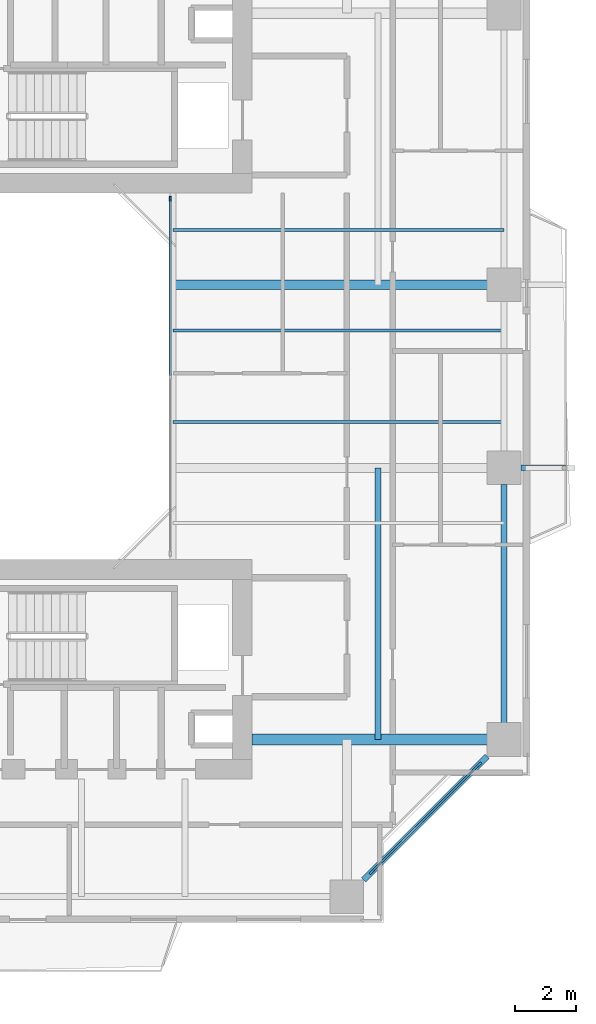
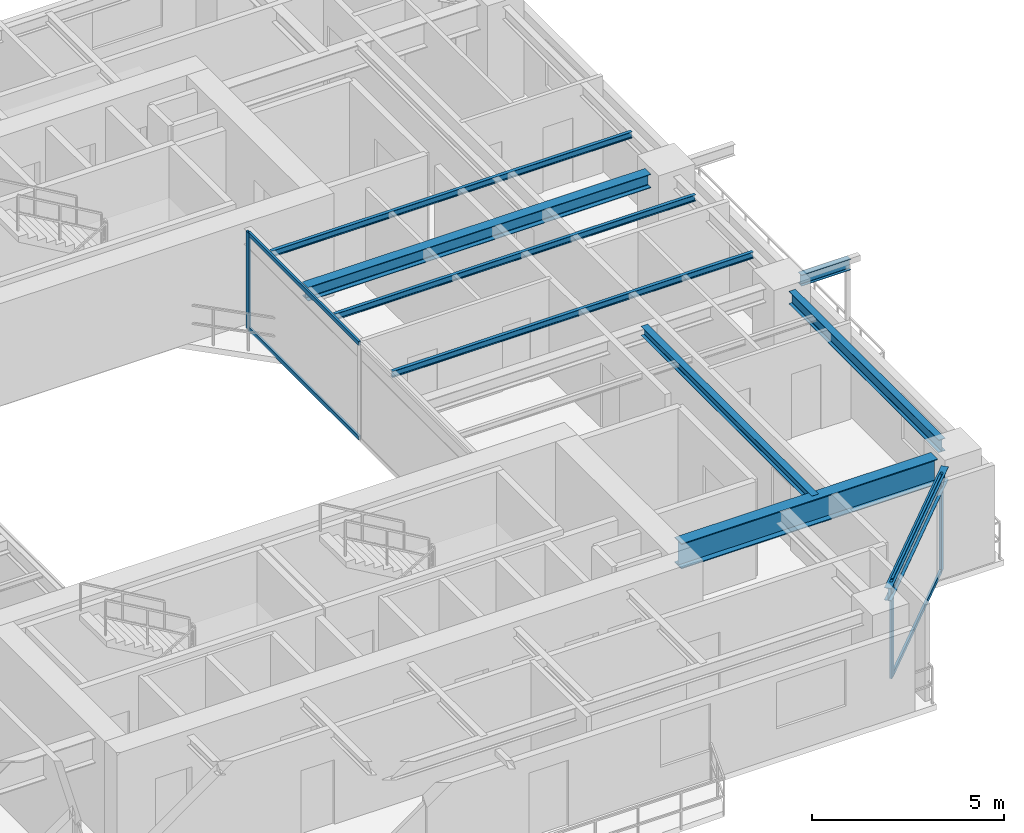
# One storey, part 6 of 17: 9 beams, 7 members, 2 elements without a shape of their own.
"""IFC4 building model written with IfcOpenShell, lengths in metres."""

from ifc_helpers import new_model, si_unit, direction, frame, origin, origin_2d, place, context, subcontext, project, spatial, rectangle, i_section, extrude, source, transform, mapped, material, layer, layer_set, material_profile, profile_set, type_object, element, aggregate, save


model = new_model("IFC4")

# Units and contexts
model_context = context("Model", 3, precision=1e-05, world=origin(), true_north=direction((0.0, 1.0)))
body_context = subcontext(model_context, "Body", "Model", "MODEL_VIEW")
ifc_project = project(units=[si_unit("LENGTHUNIT", "METRE"), si_unit("AREAUNIT", "SQUARE_METRE"), si_unit("VOLUMEUNIT", "CUBIC_METRE"), si_unit("PLANEANGLEUNIT", "RADIAN"), si_unit("MASSUNIT", "GRAM", prefix="KILO"), si_unit("THERMODYNAMICTEMPERATUREUNIT", "KELVIN"), si_unit("POWERUNIT", "WATT")], contexts=[model_context])

# Site, building, storey
site_placement = place(None, origin())
site = spatial("IfcSite", under=ifc_project, at=site_placement, CompositionType="ELEMENT")
building_placement = place(site_placement, origin())
building = spatial("IfcBuilding", under=site, at=building_placement, Name="Qiaomeng Ring Towers", CompositionType="ELEMENT")
storey_placement = place(building_placement, frame((0.0, 0.0, 132.75)))
storey = spatial("IfcBuildingStorey", under=building, at=storey_placement, Name="L38", CompositionType="ELEMENT", Elevation=132.75)

# Beams
ifc_material_1 = material(Name="Steel Q355B", Category="steel")
ifc_material_profile_1 = material_profile(ifc_material_1, i_section(OverallWidth=0.175048828125, OverallDepth=0.35009765625, WebThickness=0.007080078125, FlangeThickness=0.010986328125, FilletRadius=0.013916015625, at=origin_2d()), Name="HN 350x175x7x11")
ifc_profile_set_1 = profile_set([ifc_material_profile_1], Name="Steel Q355B")
beam_type_1 = type_object("IfcBeamType", Name="STR-BM-HN350", PredefinedType="JOIST", material=ifc_profile_set_1)
shared_shape_1 = source(origin(), body_context, "Body", "SweptSolid", [
    extrude(i_section(OverallWidth=0.175048828125, OverallDepth=0.35009765625, WebThickness=0.007080078125, FlangeThickness=0.010986328125, FilletRadius=0.013916015625, at=origin_2d()), origin(), (0.0, 0.0, 1.0), 1.48095703125),
])
beam_1_placement = place(storey_placement, frame((36.59912109375, 20.0, 2.89501953125), z_axis=(1.0, 0.0, 0.0), x_axis=(0.0, 1.0, 0.0)))
element("IfcBeam", 1, at=beam_1_placement, inside=storey, type_object=beam_type_1, Name="L38 beam STR-BALBM-L38-E2", PredefinedType="JOIST", context=body_context, shape_type="MappedRepresentation", body=[
    mapped(shared_shape_1, transform((0.0, 0.0, 0.0), x_axis=(1.0, 0.0, 0.0), y_axis=(0.0, 1.0, 0.0), z_axis=(0.0, 0.0, 1.0), scale=1.0)),
])
ifc_material_profile_2 = material_profile(ifc_material_1, i_section(OverallWidth=0.199951171875, OverallDepth=0.39990234375, WebThickness=0.008056640625, FlangeThickness=0.012939453125, FilletRadius=0.01611328125, at=origin_2d()), Name="HN 400x200x8x13")
ifc_profile_set_2 = profile_set([ifc_material_profile_2], Name="Steel Q355B")
beam_type_2 = type_object("IfcBeamType", Name="STR-BM-HN400", PredefinedType="SPANDREL", material=ifc_profile_set_2)
shared_shape_2 = source(origin(), body_context, "Body", "SweptSolid", [
    extrude(i_section(OverallWidth=0.199951171875, OverallDepth=0.39990234375, WebThickness=0.008056640625, FlangeThickness=0.012939453125, FilletRadius=0.01611328125, at=origin_2d()), origin(), (0.0, 0.0, 1.0), 5.729736328125),
])
beam_2_placement = place(storey_placement, frame((31.44921875, 6.499267578125, 2.8701171875), z_axis=(0.707106781187, 0.707106781187, 0.0), x_axis=(-0.707106781187, 0.707106781187, 0.0)))
element("IfcBeam", 2, at=beam_2_placement, inside=storey, type_object=beam_type_2, Name="L38 beam STR-SP-L38-T1-S2-E1", PredefinedType="SPANDREL", context=body_context, shape_type="MappedRepresentation", body=[
    mapped(shared_shape_2, transform((0.0, 0.0, 0.0), x_axis=(1.0, 0.0, 0.0), y_axis=(0.0, 1.0, 0.0), z_axis=(0.0, 0.0, 1.0), scale=1.0)),
])
shared_shape_3 = source(origin(), body_context, "Body", "SweptSolid", [
    extrude(i_section(OverallWidth=0.199951171875, OverallDepth=0.39990234375, WebThickness=0.008056640625, FlangeThickness=0.012939453125, FilletRadius=0.01611328125, at=origin_2d()), origin(), (0.0, 0.0, 1.0), 7.802001953125),
])
beam_3_placement = place(storey_placement, frame((36.050048828125, 11.64892578125, 2.8701171875), z_axis=(0.0, 1.0, 0.0), x_axis=(-1.0, 0.0, 0.0)))
element("IfcBeam", 3, at=beam_3_placement, inside=storey, type_object=beam_type_2, Name="L38 beam STR-SP-L38-T1-E1-E2", PredefinedType="SPANDREL", context=body_context, shape_type="MappedRepresentation", body=[
    mapped(shared_shape_3, transform((0.0, 0.0, 0.0), x_axis=(1.0, 0.0, 0.0), y_axis=(0.0, 1.0, 0.0), z_axis=(0.0, 0.0, 1.0), scale=1.0)),
])
ifc_material_2 = material(Name="Steel Q390GJC", Category="steel")
ifc_material_profile_3 = material_profile(ifc_material_2, i_section(OverallWidth=0.35009765625, OverallDepth=0.800048828125, WebThickness=0.01611328125, FlangeThickness=0.028076171875, at=origin_2d()), Name="WH 800x350x16x28")
ifc_profile_set_3 = profile_set([ifc_material_profile_3], Name="Steel Q390GJC")
beam_type_3 = type_object("IfcBeamType", Name="STR-BM-WH800", PredefinedType="BEAM", material=ifc_profile_set_3)
shared_shape_4 = source(origin(), body_context, "Body", "SweptSolid", [
    extrude(i_section(OverallWidth=0.35009765625, OverallDepth=0.800048828125, WebThickness=0.01611328125, FlangeThickness=0.028076171875, at=origin_2d()), origin(), (0.0, 0.0, 1.0), 7.700927734375),
])
beam_4_placement = place(storey_placement, frame((27.800048828125, 11.10009765625, 2.669921875), z_axis=(1.0, 0.0, 0.0), x_axis=(0.0, 1.0, 0.0)))
element("IfcBeam", 4, at=beam_4_placement, inside=storey, type_object=beam_type_3, Name="L38 beam STR-BM-L38-T1-RAD-E1", PredefinedType="BEAM", context=body_context, shape_type="MappedRepresentation", body=[
    mapped(shared_shape_4, transform((0.0, 0.0, 0.0), x_axis=(1.0, 0.0, 0.0), y_axis=(0.0, 1.0, 0.0), z_axis=(0.0, 0.0, 1.0), scale=1.0)),
])
ifc_material_profile_4 = material_profile(ifc_material_1, i_section(OverallWidth=0.300048828125, OverallDepth=0.43994140625, WebThickness=0.010986328125, FlangeThickness=0.01806640625, FilletRadius=0.02392578125, at=origin_2d()), Name="HM 440x300x11x18")
ifc_profile_set_4 = profile_set([ifc_material_profile_4], Name="Steel Q355B")
beam_type_4 = type_object("IfcBeamType", Name="STR-BM-HM440", PredefinedType="BEAM", material=ifc_profile_set_4)
shared_shape_5 = source(origin(), body_context, "Body", "SweptSolid", [
    extrude(i_section(OverallWidth=0.300048828125, OverallDepth=0.43994140625, WebThickness=0.010986328125, FlangeThickness=0.01806640625, FilletRadius=0.02392578125, at=origin_2d()), origin(), (0.0, 0.0, 1.0), 10.301025390625),
])
beam_5_placement = place(storey_placement, frame((25.199951171875, 26.0, 2.85009765625), z_axis=(1.0, 0.0, 0.0), x_axis=(0.0, 1.0, 0.0)))
element("IfcBeam", 5, at=beam_5_placement, inside=storey, type_object=beam_type_4, Name="L38 beam STR-BM-L38-T1-RAD-E3", PredefinedType="BEAM", context=body_context, shape_type="MappedRepresentation", body=[
    mapped(shared_shape_5, transform((0.0, 0.0, 0.0), x_axis=(1.0, 0.0, 0.0), y_axis=(0.0, 1.0, 0.0), z_axis=(0.0, 0.0, 1.0), scale=1.0)),
])
ifc_material_profile_5 = material_profile(ifc_material_1, i_section(OverallWidth=0.10009765625, OverallDepth=0.199951171875, WebThickness=0.005615234375, FlangeThickness=0.008056640625, FilletRadius=0.010986328125, at=origin_2d()), Name="HN 200x100x5.5x8")
ifc_profile_set_5 = profile_set([ifc_material_profile_5], Name="Steel Q355B")
beam_type_5 = type_object("IfcBeamType", Name="STR-BM-HN200", PredefinedType="JOIST", material=ifc_profile_set_5)
shared_shape_6 = source(origin(), body_context, "Body", "SweptSolid", [
    extrude(i_section(OverallWidth=0.10009765625, OverallDepth=0.199951171875, WebThickness=0.005615234375, FlangeThickness=0.008056640625, FilletRadius=0.010986328125, at=origin_2d()), origin(), (0.0, 0.0, 1.0), 10.85009765625),
])
for number, where, z_axis, x_axis, name in (
    (6, (25.199951171875, 21.5, 2.969970703125), (1.0, 0.0, 0.0), (0.0, 1.0, 0.0), "L38 beam STR-JST-L38-T1E-2"),
    (7, (25.199951171875, 24.5, 2.969970703125), (1.0, 0.0, 0.0), (0.0, 1.0, 0.0), "L38 beam STR-JST-L38-T1E-3"),
    (8, (25.199951171875, 27.800048828125, 2.969970703125), (1.0, 0.0, 0.0), (0.0, 1.0, 0.0), "L38 beam STR-JST-L38-T1E-4"),
):
    element("IfcBeam", number, at=place(storey_placement, frame(where, z_axis=z_axis, x_axis=x_axis)), inside=storey, type_object=beam_type_5, Name=name, PredefinedType="JOIST", context=body_context, shape_type="MappedRepresentation", body=[
        mapped(shared_shape_6, transform((0.0, 0.0, 0.0), x_axis=(1.0, 0.0, 0.0), y_axis=(0.0, 1.0, 0.0), z_axis=(0.0, 0.0, 1.0), scale=1.0)),
    ])
ifc_material_profile_6 = material_profile(ifc_material_1, i_section(OverallWidth=0.199951171875, OverallDepth=0.2939453125, WebThickness=0.008056640625, FlangeThickness=0.011962890625, FilletRadius=0.01806640625, at=origin_2d()), Name="HM 294x200x8x12")
ifc_profile_set_6 = profile_set([ifc_material_profile_6], Name="Steel Q355B")
beam_type_6 = type_object("IfcBeamType", Name="STR-BM-HM294", PredefinedType="JOIST", material=ifc_profile_set_6)
shared_shape_7 = source(origin(), body_context, "Body", "SweptSolid", [
    extrude(i_section(OverallWidth=0.199951171875, OverallDepth=0.2939453125, WebThickness=0.008056640625, FlangeThickness=0.011962890625, FilletRadius=0.01806640625, at=origin_2d()), origin(), (0.0, 0.0, 1.0), 8.89990234375),
])
beam_6_placement = place(storey_placement, frame((31.925048828125, 11.10009765625, 2.923095703125), z_axis=(0.0, 1.0, 0.0), x_axis=(-1.0, 0.0, 0.0)))
element("IfcBeam", 9, at=beam_6_placement, inside=storey, type_object=beam_type_6, Name="L38 beam STR-JST-L38-T1C-ES", PredefinedType="JOIST", context=body_context, shape_type="MappedRepresentation", body=[
    mapped(shared_shape_7, transform((0.0, 0.0, 0.0), x_axis=(1.0, 0.0, 0.0), y_axis=(0.0, 1.0, 0.0), z_axis=(0.0, 0.0, 1.0), scale=1.0)),
])

# Curtain wall, members
ifc_material_3 = material(Name="Fluorocarbon dark-grey aluminium", Category="aluminium")
ifc_layer_1 = layer(ifc_material_3, 0.139892578125, Name="Fluorocarbon dark-grey aluminium")
ifc_layer_set_1 = layer_set([ifc_layer_1], Name="Fluorocarbon dark-grey aluminium")
curtain_wall_type_1 = type_object("IfcCurtainWallType", Name="ARC-CW-4", PredefinedType="NOTDEFINED", material=ifc_layer_set_1)
curtain_wall_1_placement = place(storey_placement, origin())
curtain_wall_1 = element("IfcCurtainWall", 10, at=curtain_wall_1_placement, inside=storey, type_object=curtain_wall_type_1, Name="L38 Curtain Wall CW4", PredefinedType="NOTDEFINED")
ifc_material_profile_7 = material_profile(ifc_material_3, rectangle(XDim=0.06494140625, YDim=0.159912109375, at=origin_2d()), Name="ALU MULL 65x160")
ifc_profile_set_7 = profile_set([ifc_material_profile_7], Name="Fluorocarbon dark-grey aluminium")
member_type_1 = type_object("IfcMemberType", Name="ARC-CWM-140", PredefinedType="MULLION", material=ifc_profile_set_7)
shared_shape_8 = source(origin(), body_context, "Body", "SweptSolid", [
    extrude(rectangle(XDim=0.06494140625, YDim=0.159912109375, at=origin_2d()), origin(), (0.0, 0.0, 1.0), 3.070068359375),
])
member_1_placement = place(storey_placement, frame((25.1201171875, 28.8173828125, 0.0), z_axis=(0.0, 0.0, 1.0), x_axis=(-1.0, 0.0, 0.0)))
member_1 = element("IfcMember", 11, at=member_1_placement, type_object=member_type_1, Name="CW4 mullion 3", PredefinedType="MULLION", context=body_context, shape_type="MappedRepresentation", body=[
    mapped(shared_shape_8, transform((0.0, 0.0, 0.0), x_axis=(1.0, 0.0, 0.0), y_axis=(0.0, 1.0, 0.0), z_axis=(0.0, 0.0, 1.0), scale=1.0)),
])
ifc_material_profile_8 = material_profile(ifc_material_3, rectangle(XDim=0.06494140625, YDim=0.1298828125, at=origin_2d()), Name="ALU TRAN 65x130")
ifc_profile_set_8 = profile_set([ifc_material_profile_8], Name="Fluorocarbon dark-grey aluminium")
member_type_2 = type_object("IfcMemberType", Name="ARC-CWT-120", PredefinedType="USERDEFINED", material=ifc_profile_set_8)
shared_shape_9 = source(origin(), body_context, "Body", "SweptSolid", [
    extrude(rectangle(XDim=0.06494140625, YDim=0.1298828125, at=origin_2d()), origin(), (0.0, 0.0, 1.0), 5.75244140625),
])
member_2_placement = place(storey_placement, frame((25.1201171875, 23.032470703125, 0.032470703125), z_axis=(0.0, 1.0, 0.0), x_axis=(-1.0, 0.0, 0.0)))
member_2 = element("IfcMember", 12, at=member_2_placement, type_object=member_type_2, Name="CW4 transom 2.1", ObjectType="TRANSOM", PredefinedType="USERDEFINED", context=body_context, shape_type="MappedRepresentation", body=[
    mapped(shared_shape_9, transform((0.0, 0.0, 0.0), x_axis=(1.0, 0.0, 0.0), y_axis=(0.0, 1.0, 0.0), z_axis=(0.0, 0.0, 1.0), scale=1.0)),
])
member_3_placement = place(storey_placement, frame((25.1201171875, 23.032470703125, 3.03759765625), z_axis=(0.0, 1.0, 0.0), x_axis=(-1.0, 0.0, 0.0)))
member_3 = element("IfcMember", 13, at=member_3_placement, type_object=member_type_2, Name="CW4 transom 2.2", ObjectType="TRANSOM", PredefinedType="USERDEFINED", context=body_context, shape_type="MappedRepresentation", body=[
    mapped(shared_shape_9, transform((0.0, 0.0, 0.0), x_axis=(1.0, 0.0, 0.0), y_axis=(0.0, 1.0, 0.0), z_axis=(0.0, 0.0, 1.0), scale=1.0)),
])
aggregate(curtain_wall_1, [member_1, member_2, member_3])

ifc_layer_2 = layer(ifc_material_3, 0.14990234375, Name="Fluorocarbon dark-grey aluminium")
ifc_layer_set_2 = layer_set([ifc_layer_2], Name="Fluorocarbon dark-grey aluminium")
curtain_wall_type_2 = type_object("IfcCurtainWallType", Name="ARC-CW-3", PredefinedType="NOTDEFINED", material=ifc_layer_set_2)
curtain_wall_2_placement = place(storey_placement, origin())
curtain_wall_2 = element("IfcCurtainWall", 14, at=curtain_wall_2_placement, inside=storey, type_object=curtain_wall_type_2, Name="L38 Curtain Wall CW3", PredefinedType="NOTDEFINED")
ifc_material_profile_9 = material_profile(ifc_material_3, rectangle(XDim=0.070068359375, YDim=0.179931640625, at=origin_2d()), Name="ALU MULL 70x180")
ifc_profile_set_9 = profile_set([ifc_material_profile_9], Name="Fluorocarbon dark-grey aluminium")
member_type_3 = type_object("IfcMemberType", Name="ARC-CWM-160", PredefinedType="MULLION", material=ifc_profile_set_9)
shared_shape_10 = source(origin(), body_context, "Body", "SweptSolid", [
    extrude(rectangle(XDim=0.070068359375, YDim=0.179931640625, at=origin_2d()), origin(), (0.0, 0.0, 1.0), 3.070068359375),
])
member_4_placement = place(storey_placement, frame((31.71484375, 6.7646484375, 0.0), z_axis=(0.0, 0.0, 1.0), x_axis=(-0.707106781187, 0.707106781187, 0.0)))
member_4 = element("IfcMember", 15, at=member_4_placement, type_object=member_type_3, Name="CW3 mullion 1", PredefinedType="MULLION", context=body_context, shape_type="MappedRepresentation", body=[
    mapped(shared_shape_10, transform((0.0, 0.0, 0.0), x_axis=(1.0, 0.0, 0.0), y_axis=(0.0, 1.0, 0.0), z_axis=(0.0, 0.0, 1.0), scale=1.0)),
])
member_5_placement = place(storey_placement, frame((35.2353515625, 10.28515625, 0.0), z_axis=(0.0, 0.0, 1.0), x_axis=(-0.707106781187, 0.707106781187, 0.0)))
member_5 = element("IfcMember", 16, at=member_5_placement, type_object=member_type_3, Name="CW3 mullion 2", PredefinedType="MULLION", context=body_context, shape_type="MappedRepresentation", body=[
    mapped(shared_shape_10, transform((0.0, 0.0, 0.0), x_axis=(1.0, 0.0, 0.0), y_axis=(0.0, 1.0, 0.0), z_axis=(0.0, 0.0, 1.0), scale=1.0)),
])
shared_shape_11 = source(origin(), body_context, "Body", "SweptSolid", [
    extrude(rectangle(XDim=0.06494140625, YDim=0.1298828125, at=origin_2d()), origin(), (0.0, 0.0, 1.0), 4.90869140625),
])
member_6_placement = place(storey_placement, frame((31.739501953125, 6.78955078125, 0.032470703125), z_axis=(0.707106781187, 0.707106781187, 0.0), x_axis=(-0.707106781187, 0.707106781187, 0.0)))
member_6 = element("IfcMember", 17, at=member_6_placement, type_object=member_type_2, Name="CW3 transom 1.1", ObjectType="TRANSOM", PredefinedType="USERDEFINED", context=body_context, shape_type="MappedRepresentation", body=[
    mapped(shared_shape_11, transform((0.0, 0.0, 0.0), x_axis=(1.0, 0.0, 0.0), y_axis=(0.0, 1.0, 0.0), z_axis=(0.0, 0.0, 1.0), scale=1.0)),
])
member_7_placement = place(storey_placement, frame((31.739501953125, 6.78955078125, 3.03759765625), z_axis=(0.707106781187, 0.707106781187, 0.0), x_axis=(-0.707106781187, 0.707106781187, 0.0)))
member_7 = element("IfcMember", 18, at=member_7_placement, type_object=member_type_2, Name="CW3 transom 1.2", ObjectType="TRANSOM", PredefinedType="USERDEFINED", context=body_context, shape_type="MappedRepresentation", body=[
    mapped(shared_shape_11, transform((0.0, 0.0, 0.0), x_axis=(1.0, 0.0, 0.0), y_axis=(0.0, 1.0, 0.0), z_axis=(0.0, 0.0, 1.0), scale=1.0)),
])
aggregate(curtain_wall_2, [member_4, member_5, member_6, member_7])

save(model, "model.ifc")
